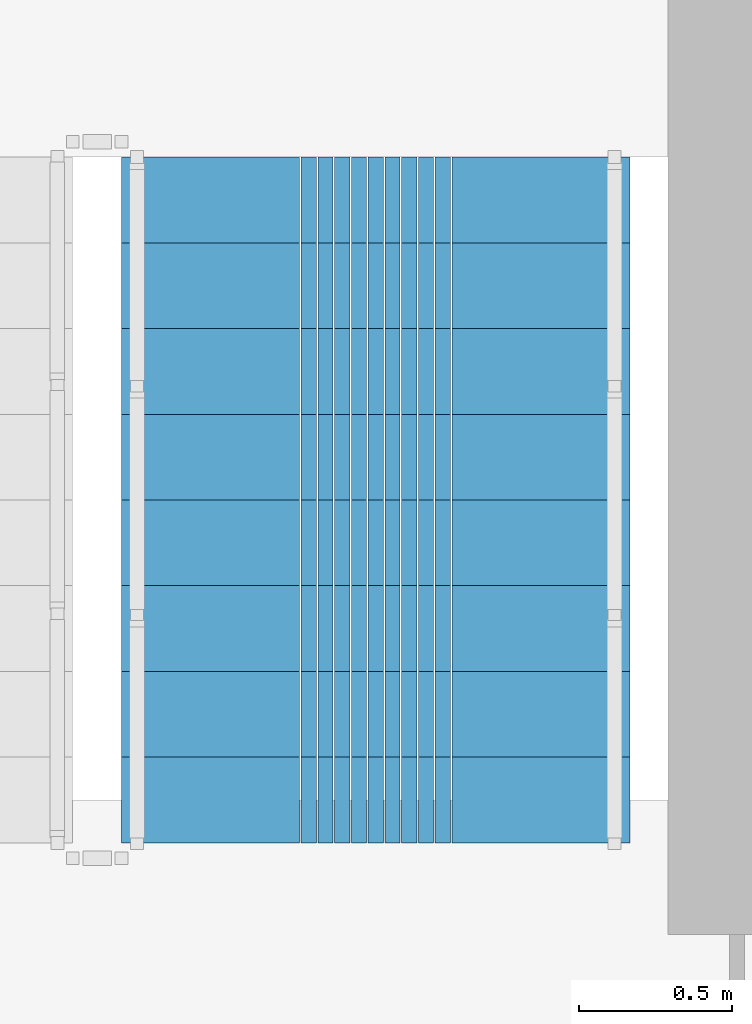
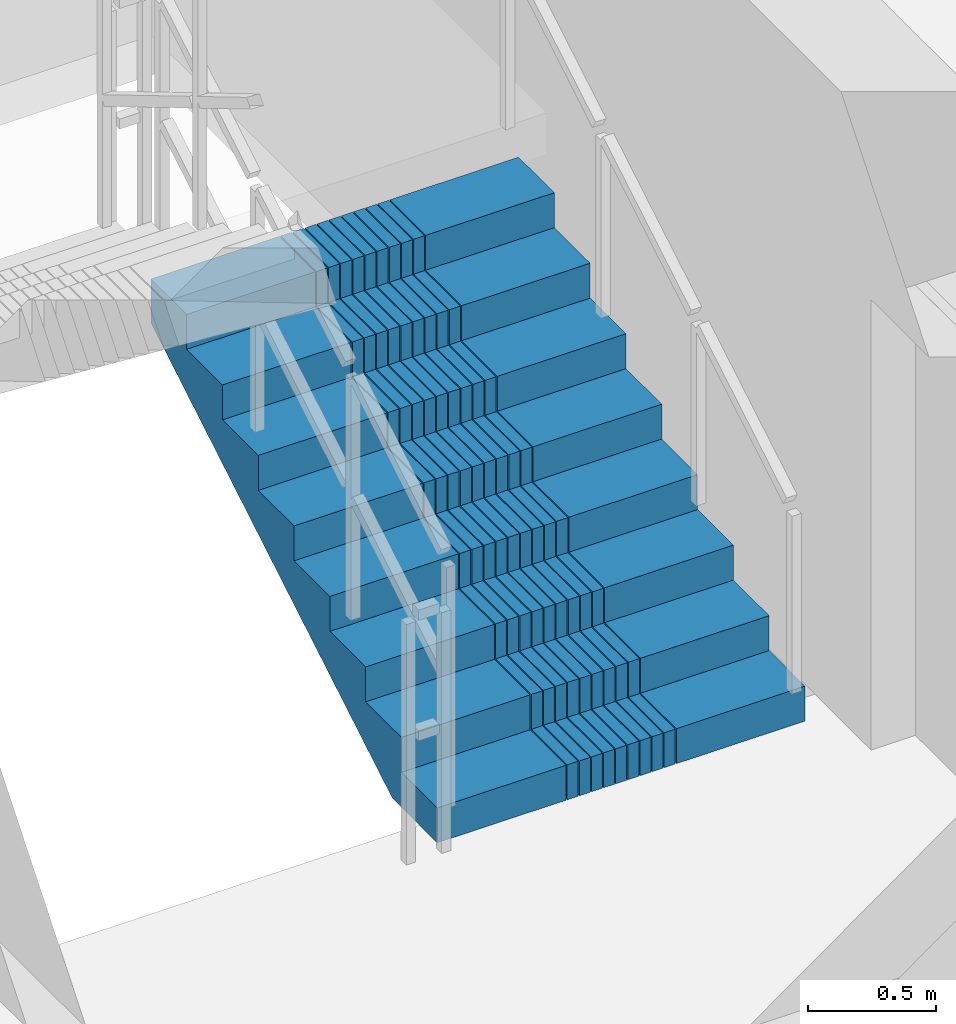
# One storey, part 10 of 15: 1 stair flight, 1 element without a shape of its own.
"""IFC4 building model written with IfcOpenShell, lengths in metres."""

import ifcopenshell
import ifcopenshell.guid

model = None  # the IFC model being written
_history = None  # IfcOwnerHistory: only IFC2X3 demands one
_inside = {}  # id of a spatial element -> (the spatial element, [elements in it])
_under = {}  # id of a project, library or spatial element -> (it, [spatial elements below it])
_declared = {}  # id of a project -> (the project, [libraries it declares])
_typed = {}  # id of a type object -> (the type object, [elements of that type])
_made_of = {}  # id of a material, layer set ... -> (it, [elements and type objects made of it])


def new_model(schema):
    """Start an empty IFC model of exactly this schema.

    Asked for "IFC4X3", IfcOpenShell would pick the latest addendum, in which some entities
    have other attributes; the version numbers below select the first issue.
    IFC2X3 requires an IfcOwnerHistory on every rooted entity: one is made here for all.
    """
    global model, _history
    if schema == "IFC4X3":
        model = ifcopenshell.file(schema_version=(4, 3, 0, 0))
    else:
        model = ifcopenshell.file(schema=schema)
    _inside.clear()
    _under.clear()
    _declared.clear()
    _typed.clear()
    _made_of.clear()
    _history = None
    if model.schema == "IFC2X3":
        org = make("IfcOrganization", Name="unknown")
        user = make(
            "IfcPersonAndOrganization",
            ThePerson=make("IfcPerson", FamilyName="unknown"),
            TheOrganization=org,
        )
        app = make(
            "IfcApplication",
            ApplicationDeveloper=org,
            Version="unknown",
            ApplicationFullName="unknown",
            ApplicationIdentifier="unknown",
        )
        _history = make(
            "IfcOwnerHistory",
            OwningUser=user,
            OwningApplication=app,
            ChangeAction="ADDED",
            CreationDate=0,
        )
    return model


def make(cls, **values):
    """One entity of the class cls with the attributes given. An attribute that is None is left unset."""
    return model.create_entity(
        cls, **{name: value for name, value in values.items() if value is not None}
    )


def rooted(cls, **values):
    """An entity with a GlobalId (a new one), such as an element, a storey or a relation."""
    return make(cls, GlobalId=ifcopenshell.guid.new(), OwnerHistory=_history, **values)


def si_unit(unit_type, name, prefix=None):
    """IfcSIUnit, for example si_unit("LENGTHUNIT", "METRE", prefix="MILLI")."""
    return make("IfcSIUnit", UnitType=unit_type, Prefix=prefix, Name=name)


def assignment(units):
    """IfcUnitAssignment: the units of a project."""
    return None if units is None else make("IfcUnitAssignment", Units=units)


def point(xyz):
    """IfcCartesianPoint."""
    return None if xyz is None else make("IfcCartesianPoint", Coordinates=xyz)


def direction(xyz):
    """IfcDirection."""
    return None if xyz is None else make("IfcDirection", DirectionRatios=xyz)


def frame(location, z_axis=None, x_axis=None):
    """IfcAxis2Placement3D, a coordinate frame: its origin and axes. An axis left out is left unset."""
    return make(
        "IfcAxis2Placement3D",
        Location=point(location),
        Axis=direction(z_axis),
        RefDirection=direction(x_axis),
    )


def origin():
    """The frame at (0, 0, 0) with its axes left unset."""
    return frame((0.0, 0.0, 0.0))


def place(relative_to, where):
    """IfcLocalPlacement: puts the frame where relative to a parent placement (None: the world)."""
    return make(
        "IfcLocalPlacement", PlacementRelTo=relative_to, RelativePlacement=where
    )


def context(
    kind, dimensions, precision=None, world=None, true_north=None, identifier=None
):
    """IfcGeometricRepresentationContext, for example the 3D "Model" context."""
    return make(
        "IfcGeometricRepresentationContext",
        ContextIdentifier=identifier,
        ContextType=kind,
        CoordinateSpaceDimension=dimensions,
        Precision=precision,
        WorldCoordinateSystem=world,
        TrueNorth=true_north,
    )


def subcontext(parent, identifier, kind, view, scale=None):
    """IfcGeometricRepresentationSubContext, for example "Body" below "Model"."""
    return make(
        "IfcGeometricRepresentationSubContext",
        ContextIdentifier=identifier,
        ContextType=kind,
        ParentContext=parent,
        TargetScale=scale,
        TargetView=view,
    )


def project(units=None, contexts=None):
    """IfcProject with its units and contexts."""
    return rooted(
        "IfcProject",
        Name="project",
        RepresentationContexts=contexts,
        UnitsInContext=assignment(units),
    )


def spatial(cls, under=None, at=None, **own):
    """A site, building, storey or space (cls), placed at a placement, below another one or the project."""
    s = rooted(cls, ObjectPlacement=at, **own)
    if under is not None:
        _under.setdefault(under.id(), (under, []))[1].append(s)
    return s


def polyline(points):
    """IfcPolyline through the points."""
    return make("IfcPolyline", Points=[point(p) for p in points])


def outline(outer, holes=None, kind="AREA"):
    """IfcArbitraryClosedProfileDef: a profile drawn as a closed curve; with holes, ...WithVoids."""
    if holes is None:
        return make("IfcArbitraryClosedProfileDef", ProfileType=kind, OuterCurve=outer)
    return make(
        "IfcArbitraryProfileDefWithVoids",
        ProfileType=kind,
        OuterCurve=outer,
        InnerCurves=holes,
    )


def extrude(swept, where, along, depth):
    """IfcExtrudedAreaSolid: the profile swept, set in the frame where, extruded along a direction by depth."""
    return make(
        "IfcExtrudedAreaSolid",
        SweptArea=swept,
        Position=where,
        ExtrudedDirection=direction(along),
        Depth=depth,
    )


def shape(context_of_items, identifier, shape_type, items):
    """IfcShapeRepresentation: the items that make up one representation, for example the "Body"."""
    return make(
        "IfcShapeRepresentation",
        ContextOfItems=context_of_items,
        RepresentationIdentifier=identifier,
        RepresentationType=shape_type,
        Items=items,
    )


def material(Name=None, Category=None):
    """IfcMaterial."""
    return make("IfcMaterial", Name=Name, Category=Category)


def made_of(thing, what):
    """Note that an element or type object is made of a material, layer set ...; save() writes the relation."""
    if what is not None:
        _made_of.setdefault(what.id(), (what, []))[1].append(thing)
    return thing


def type_object(cls, material=None, **own):
    """A type object (cls), such as IfcWallType, which elements share."""
    return made_of(rooted(cls, **own), material)


def element(
    cls,
    number,
    at=None,
    inside=None,
    cuts=None,
    type_object=None,
    material=None,
    context=None,
    identifier="Body",
    shape_type=None,
    held_by="IfcProductDefinitionShape",
    body=None,
    shapes=None,
    **own,
):
    """One element of the class cls, such as IfcWall. Its Tag is "e" and its number.

    at: its placement. inside: the storey or other place that contains it. cuts: it is an
    opening in that element (IfcRelVoidsElement). A single representation is given by context,
    identifier, shape_type and body (its items); several are given by shapes. held_by: the class
    of the entity that holds the representations. save() writes the other relations.
    """
    e = rooted(cls, Tag="e%d" % number, ObjectPlacement=at, **own)
    if body is not None:
        shapes = [shape(context, identifier, shape_type, body)]
    if shapes is not None:
        e.Representation = make(held_by, Representations=shapes)
    if inside is not None:
        _inside.setdefault(inside.id(), (inside, []))[1].append(e)
    if cuts is not None:
        rooted(
            "IfcRelVoidsElement", RelatingBuildingElement=cuts, RelatedOpeningElement=e
        )
    if type_object is not None:
        _typed.setdefault(type_object.id(), (type_object, []))[1].append(e)
    return made_of(e, material)


def aggregate(whole, parts):
    """IfcRelAggregates: a whole, such as a stair, and the parts it consists of."""
    return rooted("IfcRelAggregates", RelatingObject=whole, RelatedObjects=parts)


def save(model, path):
    """Write the relations noted so far, then the file.

    IfcRelAggregates (storeys below a building ...), IfcRelContainedInSpatialStructure (elements
    in a storey), IfcRelDefinesByType, IfcRelAssociatesMaterial and IfcRelDeclares: one each for
    every whole, place, type object, material and project.
    """
    for whole, parts in _under.values():
        aggregate(whole, parts)
    for where, things in _inside.values():
        rooted(
            "IfcRelContainedInSpatialStructure",
            RelatedElements=things,
            RelatingStructure=where,
        )
    for kind, things in _typed.values():
        rooted("IfcRelDefinesByType", RelatedObjects=things, RelatingType=kind)
    for what, things in _made_of.values():
        rooted("IfcRelAssociatesMaterial", RelatedObjects=things, RelatingMaterial=what)
    for by, libraries in _declared.values():
        rooted("IfcRelDeclares", RelatingContext=by, RelatedDefinitions=libraries)
    model.write(path)


model = new_model("IFC4")

# Units and contexts
model_context = context("Model", 3, precision=1e-05, world=origin(), true_north=direction((0.0, 1.0)))
body_context = subcontext(model_context, "Body", "Model", "MODEL_VIEW")
ifc_project = project(units=[si_unit("LENGTHUNIT", "METRE"), si_unit("AREAUNIT", "SQUARE_METRE"), si_unit("VOLUMEUNIT", "CUBIC_METRE"), si_unit("PLANEANGLEUNIT", "RADIAN"), si_unit("MASSUNIT", "GRAM", prefix="KILO")], contexts=[model_context])

# Site, building, storey
site_placement = place(None, origin())
site = spatial("IfcSite", under=ifc_project, at=site_placement, CompositionType="ELEMENT")
building_placement = place(site_placement, origin())
building = spatial("IfcBuilding", under=site, at=building_placement, Name="Saelheon Loggia Tower", CompositionType="ELEMENT")
storey_placement = place(building_placement, frame((0.0, 0.0, 163.0)))
storey = spatial("IfcBuildingStorey", under=building, at=storey_placement, Name="L51", CompositionType="ELEMENT", Elevation=163.0)

# Stair, stair flight
ifc_material = material(Name="Concrete C40/50", Category="concrete")
stair_type = type_object("IfcStairType", Name="Stair_Escape_Core", PredefinedType="HALF_TURN_STAIR", material=ifc_material)
stair_placement = place(storey_placement, origin())
stair = element("IfcStair", 1, at=stair_placement, inside=storey, type_object=stair_type, Name="L51 Special Escape Stair ST2", PredefinedType="HALF_TURN_STAIR")
stair_flight_type = type_object("IfcStairFlightType", Name="StairFlight_Tower_1660", PredefinedType="STRAIGHT", material=ifc_material)
stair_flight_placement = place(storey_placement, frame((43.320068359375, 30.449951171875, 0.0), z_axis=(0.0, 0.0, 1.0), x_axis=(0.0, 1.0, 0.0)))
stair_flight = element("IfcStairFlight", 2, at=stair_flight_placement, type_object=stair_flight_type, Name="ST2 flight 1", NumberOfRisers=9, NumberOfTreads=8, PredefinedType="STRAIGHT", RiserHeight=0.166666667, TreadLength=0.28, context=body_context, shape_type="SweptSolid", body=[
    extrude(outline(polyline([(0.0, 0.0), (0.0, 0.166748046875), (0.280029296875, 0.166748046875), (0.280029296875, 0.333251953125), (0.56005859375, 0.333251953125), (0.56005859375, 0.5), (0.840087890625, 0.5), (0.840087890625, 0.666748046875), (1.1201171875, 0.666748046875), (1.1201171875, 0.833251953125), (1.39990234375, 0.833251953125), (1.39990234375, 1.0), (1.679931640625, 1.0), (1.679931640625, 1.166748046875), (1.9599609375, 1.166748046875), (1.9599609375, 1.333251953125), (2.239990234375, 1.333251953125), (2.239990234375, 1.5), (2.239990234375, 1.1240234375), (0.351806640625, 0.0), (0.0, 0.0)])), frame((0.0, -0.2490234375, 0.0), z_axis=(0.0, -1.0, 0.0), x_axis=(1.0, 0.0, 0.0)), (0.0, 0.0, 1.0), 0.5810546875),
    extrude(outline(polyline([(0.0, 0.0), (0.0, 0.166748046875), (0.280029296875, 0.166748046875), (0.280029296875, 0.333251953125), (0.56005859375, 0.333251953125), (0.56005859375, 0.5), (0.840087890625, 0.5), (0.840087890625, 0.666748046875), (1.1201171875, 0.666748046875), (1.1201171875, 0.833251953125), (1.39990234375, 0.833251953125), (1.39990234375, 1.0), (1.679931640625, 1.0), (1.679931640625, 1.166748046875), (1.9599609375, 1.166748046875), (1.9599609375, 1.333251953125), (2.239990234375, 1.333251953125), (2.239990234375, 1.5), (2.239990234375, 1.1240234375), (0.351806640625, 0.0), (0.0, 0.0)])), frame((0.0, -0.194091796875, 0.0), z_axis=(0.0, -1.0, 0.0), x_axis=(1.0, 0.0, 0.0)), (0.0, 0.0, 1.0), 0.0498046875),
    extrude(outline(polyline([(0.0, 0.0), (0.0, 0.166748046875), (0.280029296875, 0.166748046875), (0.280029296875, 0.333251953125), (0.56005859375, 0.333251953125), (0.56005859375, 0.5), (0.840087890625, 0.5), (0.840087890625, 0.666748046875), (1.1201171875, 0.666748046875), (1.1201171875, 0.833251953125), (1.39990234375, 0.833251953125), (1.39990234375, 1.0), (1.679931640625, 1.0), (1.679931640625, 1.166748046875), (1.9599609375, 1.166748046875), (1.9599609375, 1.333251953125), (2.239990234375, 1.333251953125), (2.239990234375, 1.5), (2.239990234375, 1.1240234375), (0.351806640625, 0.0), (0.0, 0.0)])), frame((0.0, -0.139404296875, 0.0), z_axis=(0.0, -1.0, 0.0), x_axis=(1.0, 0.0, 0.0)), (0.0, 0.0, 1.0), 0.0498046875),
    extrude(outline(polyline([(0.0, 0.0), (0.0, 0.166748046875), (0.280029296875, 0.166748046875), (0.280029296875, 0.333251953125), (0.56005859375, 0.333251953125), (0.56005859375, 0.5), (0.840087890625, 0.5), (0.840087890625, 0.666748046875), (1.1201171875, 0.666748046875), (1.1201171875, 0.833251953125), (1.39990234375, 0.833251953125), (1.39990234375, 1.0), (1.679931640625, 1.0), (1.679931640625, 1.166748046875), (1.9599609375, 1.166748046875), (1.9599609375, 1.333251953125), (2.239990234375, 1.333251953125), (2.239990234375, 1.5), (2.239990234375, 1.1240234375), (0.351806640625, 0.0), (0.0, 0.0)])), frame((0.0, -0.084716796875, 0.0), z_axis=(0.0, -1.0, 0.0), x_axis=(1.0, 0.0, 0.0)), (0.0, 0.0, 1.0), 0.0498046875),
    extrude(outline(polyline([(0.0, 0.0), (0.0, 0.166748046875), (0.280029296875, 0.166748046875), (0.280029296875, 0.333251953125), (0.56005859375, 0.333251953125), (0.56005859375, 0.5), (0.840087890625, 0.5), (0.840087890625, 0.666748046875), (1.1201171875, 0.666748046875), (1.1201171875, 0.833251953125), (1.39990234375, 0.833251953125), (1.39990234375, 1.0), (1.679931640625, 1.0), (1.679931640625, 1.166748046875), (1.9599609375, 1.166748046875), (1.9599609375, 1.333251953125), (2.239990234375, 1.333251953125), (2.239990234375, 1.5), (2.239990234375, 1.1240234375), (0.351806640625, 0.0), (0.0, 0.0)])), frame((0.0, -0.02978515625, 0.0), z_axis=(0.0, -1.0, 0.0), x_axis=(1.0, 0.0, 0.0)), (0.0, 0.0, 1.0), 0.0498046875),
    extrude(outline(polyline([(0.0, 0.0), (0.0, 0.166748046875), (0.280029296875, 0.166748046875), (0.280029296875, 0.333251953125), (0.56005859375, 0.333251953125), (0.56005859375, 0.5), (0.840087890625, 0.5), (0.840087890625, 0.666748046875), (1.1201171875, 0.666748046875), (1.1201171875, 0.833251953125), (1.39990234375, 0.833251953125), (1.39990234375, 1.0), (1.679931640625, 1.0), (1.679931640625, 1.166748046875), (1.9599609375, 1.166748046875), (1.9599609375, 1.333251953125), (2.239990234375, 1.333251953125), (2.239990234375, 1.5), (2.239990234375, 1.1240234375), (0.351806640625, 0.0), (0.0, 0.0)])), frame((0.0, 0.02490234375, 0.0), z_axis=(0.0, -1.0, 0.0), x_axis=(1.0, 0.0, 0.0)), (0.0, 0.0, 1.0), 0.0498046875),
    extrude(outline(polyline([(0.0, 0.0), (0.0, 0.166748046875), (0.280029296875, 0.166748046875), (0.280029296875, 0.333251953125), (0.56005859375, 0.333251953125), (0.56005859375, 0.5), (0.840087890625, 0.5), (0.840087890625, 0.666748046875), (1.1201171875, 0.666748046875), (1.1201171875, 0.833251953125), (1.39990234375, 0.833251953125), (1.39990234375, 1.0), (1.679931640625, 1.0), (1.679931640625, 1.166748046875), (1.9599609375, 1.166748046875), (1.9599609375, 1.333251953125), (2.239990234375, 1.333251953125), (2.239990234375, 1.5), (2.239990234375, 1.1240234375), (0.351806640625, 0.0), (0.0, 0.0)])), frame((0.0, 0.07958984375, 0.0), z_axis=(0.0, -1.0, 0.0), x_axis=(1.0, 0.0, 0.0)), (0.0, 0.0, 1.0), 0.0498046875),
    extrude(outline(polyline([(0.0, 0.0), (0.0, 0.166748046875), (0.280029296875, 0.166748046875), (0.280029296875, 0.333251953125), (0.56005859375, 0.333251953125), (0.56005859375, 0.5), (0.840087890625, 0.5), (0.840087890625, 0.666748046875), (1.1201171875, 0.666748046875), (1.1201171875, 0.833251953125), (1.39990234375, 0.833251953125), (1.39990234375, 1.0), (1.679931640625, 1.0), (1.679931640625, 1.166748046875), (1.9599609375, 1.166748046875), (1.9599609375, 1.333251953125), (2.239990234375, 1.333251953125), (2.239990234375, 1.5), (2.239990234375, 1.1240234375), (0.351806640625, 0.0), (0.0, 0.0)])), frame((0.0, 0.134521484375, 0.0), z_axis=(0.0, -1.0, 0.0), x_axis=(1.0, 0.0, 0.0)), (0.0, 0.0, 1.0), 0.0498046875),
    extrude(outline(polyline([(0.0, 0.0), (0.0, 0.166748046875), (0.280029296875, 0.166748046875), (0.280029296875, 0.333251953125), (0.56005859375, 0.333251953125), (0.56005859375, 0.5), (0.840087890625, 0.5), (0.840087890625, 0.666748046875), (1.1201171875, 0.666748046875), (1.1201171875, 0.833251953125), (1.39990234375, 0.833251953125), (1.39990234375, 1.0), (1.679931640625, 1.0), (1.679931640625, 1.166748046875), (1.9599609375, 1.166748046875), (1.9599609375, 1.333251953125), (2.239990234375, 1.333251953125), (2.239990234375, 1.5), (2.239990234375, 1.1240234375), (0.351806640625, 0.0), (0.0, 0.0)])), frame((0.0, 0.189208984375, 0.0), z_axis=(0.0, -1.0, 0.0), x_axis=(1.0, 0.0, 0.0)), (0.0, 0.0, 1.0), 0.0498046875),
    extrude(outline(polyline([(0.0, 0.0), (0.0, 0.166748046875), (0.280029296875, 0.166748046875), (0.280029296875, 0.333251953125), (0.56005859375, 0.333251953125), (0.56005859375, 0.5), (0.840087890625, 0.5), (0.840087890625, 0.666748046875), (1.1201171875, 0.666748046875), (1.1201171875, 0.833251953125), (1.39990234375, 0.833251953125), (1.39990234375, 1.0), (1.679931640625, 1.0), (1.679931640625, 1.166748046875), (1.9599609375, 1.166748046875), (1.9599609375, 1.333251953125), (2.239990234375, 1.333251953125), (2.239990234375, 1.5), (2.239990234375, 1.1240234375), (0.351806640625, 0.0), (0.0, 0.0)])), frame((0.0, 0.243896484375, 0.0), z_axis=(0.0, -1.0, 0.0), x_axis=(1.0, 0.0, 0.0)), (0.0, 0.0, 1.0), 0.0498046875),
    extrude(outline(polyline([(0.0, 0.0), (0.0, 0.166748046875), (0.280029296875, 0.166748046875), (0.280029296875, 0.333251953125), (0.56005859375, 0.333251953125), (0.56005859375, 0.5), (0.840087890625, 0.5), (0.840087890625, 0.666748046875), (1.1201171875, 0.666748046875), (1.1201171875, 0.833251953125), (1.39990234375, 0.833251953125), (1.39990234375, 1.0), (1.679931640625, 1.0), (1.679931640625, 1.166748046875), (1.9599609375, 1.166748046875), (1.9599609375, 1.333251953125), (2.239990234375, 1.333251953125), (2.239990234375, 1.5), (2.239990234375, 1.1240234375), (0.351806640625, 0.0), (0.0, 0.0)])), frame((0.0, 0.830078125, 0.0), z_axis=(0.0, -1.0, 0.0), x_axis=(1.0, 0.0, 0.0)), (0.0, 0.0, 1.0), 0.5810546875),
])
aggregate(stair, [stair_flight])

save(model, "model.ifc")
